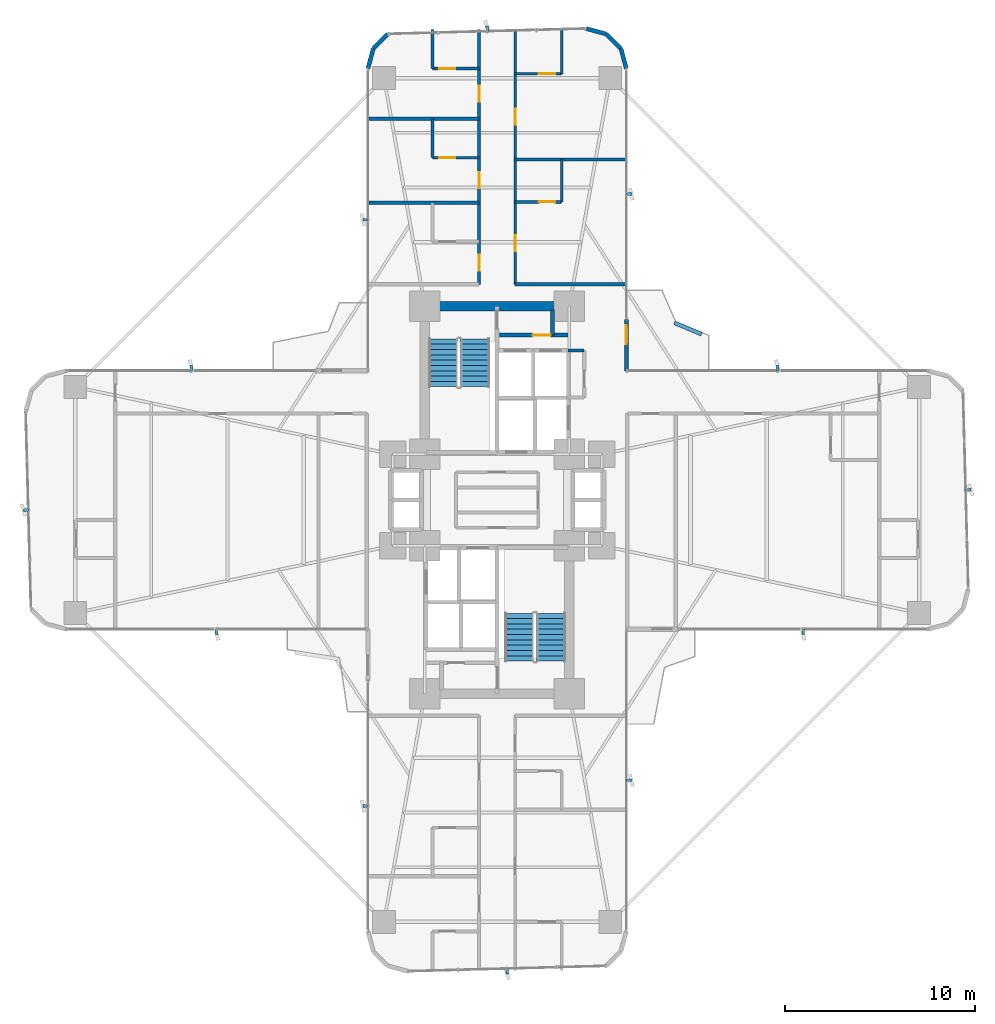
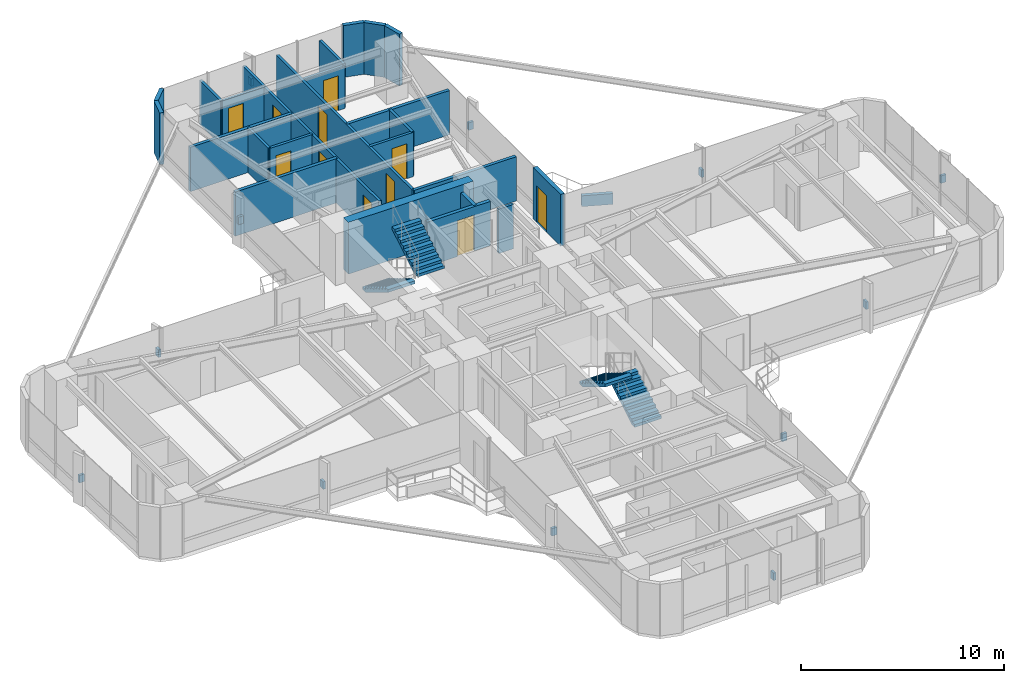
# One storey, part 24 of 25: 25 walls, 12 discrete accessories, 11 doors, 4 stair flights, 11 openings, 2 elements without a shape of their own.
"""IFC4 building model written with IfcOpenShell, lengths in metres."""

from ifc_helpers import new_model, si_unit, direction, frame, frame_2d, origin, origin_2d, place, context, subcontext, project, spatial, polyline, rectangle, outline, extrude, source, transform, mapped, material, layer, layer_set, type_object, element, fill, aggregate, save


model = new_model("IFC4")

# Units and contexts
model_context = context("Model", 3, precision=1e-05, world=origin(), true_north=direction((0.0, 1.0)))
body_context = subcontext(model_context, "Body", "Model", "MODEL_VIEW")
ifc_project = project(units=[si_unit("LENGTHUNIT", "METRE"), si_unit("AREAUNIT", "SQUARE_METRE"), si_unit("VOLUMEUNIT", "CUBIC_METRE"), si_unit("PLANEANGLEUNIT", "RADIAN"), si_unit("MASSUNIT", "GRAM", prefix="KILO")], contexts=[model_context])

# Site, building, storey
site_placement = place(None, origin())
site = spatial("IfcSite", under=ifc_project, at=site_placement, CompositionType="ELEMENT")
building_placement = place(site_placement, origin())
building = spatial("IfcBuilding", under=site, at=building_placement, Name="Sahyath Konkavel Grand Hotel", CompositionType="ELEMENT")
storey_placement = place(building_placement, frame((0.0, 0.0, 36.5)))
storey = spatial("IfcBuildingStorey", under=building, at=storey_placement, Name="L09", CompositionType="ELEMENT", Elevation=36.5)

# Wall
ifc_material_1 = material(Name="Concrete C70/85", Category="concrete")
ifc_layer_1 = layer(ifc_material_1, 0.5)
ifc_layer_set_1 = layer_set([ifc_layer_1], Name="Concrete C70/85")
wall_type_1 = type_object("IfcWallType", Name="CWALL-500", PredefinedType="SHEAR", material=ifc_layer_set_1)
wall_1_placement = place(storey_placement, frame((-3.550048828125, 10.199951171875, 0.0), z_axis=(0.0, 0.0, 1.0), x_axis=(1.0, 0.0, 0.0)))
element("IfcWall", 1, at=wall_1_placement, inside=storey, type_object=wall_type_1, Name="L09 North Core Shear Wall N", PredefinedType="SHEAR", context=body_context, shape_type="SweptSolid", body=[
    extrude(rectangle(XDim=7.10009765625, YDim=0.5, at=frame_2d((3.550048828125, 0.0))), origin(), (0.0, 0.0, 1.0), 3.110107421875),
])

# Wall, opening, door
ifc_material_2 = material(Name="Warm Buff Sandstone Insulated Concrete C40/50", Category="masonry")
ifc_layer_2 = layer(ifc_material_2, 0.219970703125)
ifc_layer_set_2 = layer_set([ifc_layer_2], Name="Warm Buff Sandstone Insulated Concrete C40/50")
wall_type_2 = type_object("IfcWallType", Name="WLL-BALC-THRESH", PredefinedType="STANDARD", material=ifc_layer_set_2)
wall_2_placement = place(storey_placement, frame((6.800048828125, 6.800048828125, 0.0), z_axis=(0.0, 0.0, 1.0), x_axis=(0.0, 1.0, 0.0)))
wall_2 = element("IfcWall", 2, at=wall_2_placement, inside=storey, type_object=wall_type_2, Name="L09 Winter-Garden Threshold Wall 8", PredefinedType="STANDARD", context=body_context, shape_type="SweptSolid", body=[
    extrude(rectangle(XDim=2.699951171875, YDim=0.219970703125, at=frame_2d((1.35009765625, 0.0))), origin(), (0.0, 0.0, 1.0), 3.110107421875),
])
opening_1_placement = place(wall_2_placement, frame((1.39990234375, 0.0, 0.0)))
opening_1 = element("IfcOpeningElement", 3, at=opening_1_placement, cuts=wall_2, Name="Opening D-TR1", PredefinedType="OPENING", context=body_context, shape_type="SweptSolid", body=[
    extrude(rectangle(XDim=1.0, YDim=2.199951171875, at=frame_2d((0.5, 1.10009765625))), frame((0.0, 0.1201171875, 0.0), z_axis=(0.0, -1.0, 0.0), x_axis=(1.0, 0.0, 0.0)), (0.0, 0.0, 1.0), 0.239990234375),
])
ifc_material_3 = material(Name="Anodised Bronze Aluminium & Low-E Glazing", Category="aluminium")
door_type_1 = type_object("IfcDoorType", Name="DR-TERRACE-1000", OperationType="NOTDEFINED", PredefinedType="DOOR", material=ifc_material_3)
shared_shape_1 = source(origin(), body_context, "Body", "SweptSolid", [
    extrude(rectangle(XDim=1.0, YDim=0.050048828125, at=origin_2d()), origin(), (0.0, 0.0, 1.0), 2.199951171875),
])
door_1_placement = place(opening_1_placement, frame((0.5, 0.0, 0.0)))
door_1 = element("IfcDoor", 4, at=door_1_placement, inside=storey, type_object=door_type_1, Name="L09 Winter-Garden Terrace Door 8", OperationType="SINGLE_SWING_LEFT", OverallHeight=2.199951171875, OverallWidth=1.0, PredefinedType="DOOR", context=body_context, shape_type="MappedRepresentation", body=[
    mapped(shared_shape_1, transform((0.0, 0.0, 0.0), scale=1.0)),
])
fill(opening_1, door_1)

# Walls
for number, where, z_axis, x_axis, name in (
    (5, (6.800048828125, 22.699951171875, 0.0), (0.0, 0.0, 1.0), (-0.25872485917, 0.965951058412, 0.0), "L09 Rounded Corner Sandstone Pier 9"),
    (6, (6.518798828125, 23.75, 0.0), (0.0, 0.0, 1.0), (-0.707106781187, 0.707106781187, 0.0), "L09 Rounded Corner Sandstone Pier 10"),
    (7, (5.75, 24.518798828125, 0.0), (0.0, 0.0, 1.0), (-0.965951058412, 0.25872485917, 0.0), "L09 Rounded Corner Sandstone Pier 11"),
    (8, (-5.75, 24.518798828125, 0.0), (0.0, 0.0, 1.0), (-0.707106781187, -0.707106781187, 0.0), "L09 Rounded Corner Sandstone Pier 13"),
    (9, (-6.518798828125, 23.75, 0.0), (0.0, 0.0, 1.0), (-0.25872485917, -0.965951058412, 0.0), "L09 Rounded Corner Sandstone Pier 14"),
):
    element("IfcWall", number, at=place(storey_placement, frame(where, z_axis=z_axis, x_axis=x_axis)), inside=storey, type_object=wall_type_2, Name=name, PredefinedType="STANDARD", context=body_context, shape_type="SweptSolid", body=[
        extrude(rectangle(XDim=1.087158203125, YDim=0.219970703125, at=frame_2d((0.54345703125, 0.0))), origin(), (0.0, 0.0, 1.0), 3.110107421875),
    ])

# Wall, opening, door
ifc_material_4 = material(Name="Concrete C40/50", Category="concrete")
ifc_layer_3 = layer(ifc_material_4, 0.199951171875)
ifc_layer_set_3 = layer_set([ifc_layer_3], Name="Concrete C40/50")
wall_type_3 = type_object("IfcWallType", Name="WLL-CORE-200", PredefinedType="SOLIDWALL", material=ifc_layer_set_3)
wall_3_placement = place(storey_placement, frame((0.1201171875, 8.679931640625, 0.0), z_axis=(0.0, 0.0, 1.0), x_axis=(1.0, 0.0, 0.0)))
wall_3 = element("IfcWall", 10, at=wall_3_placement, inside=storey, type_object=wall_type_3, Name="L09 North FF Lobby Separation Wall", PredefinedType="SOLIDWALL", context=body_context, shape_type="SweptSolid", body=[
    extrude(rectangle(XDim=3.619873046875, YDim=0.199951171875, at=frame_2d((1.81005859375, 0.0))), origin(), (0.0, 0.0, 1.0), 2.659912109375),
])
opening_2_placement = place(wall_3_placement, frame((1.75, 0.0, 0.0)))
opening_2 = element("IfcOpeningElement", 11, at=opening_2_placement, cuts=wall_3, Name="Opening D-F12C", PredefinedType="OPENING", context=body_context, shape_type="SweptSolid", body=[
    extrude(rectangle(XDim=0.949951171875, YDim=2.14990234375, at=frame_2d((0.47509765625, 1.074951171875))), frame((0.0, 0.10986328125, 0.0), z_axis=(0.0, -1.0, 0.0), x_axis=(1.0, 0.0, 0.0)), (0.0, 0.0, 1.0), 0.219970703125),
])
ifc_material_5 = material(Name="Steel E350 Plant Fire Door", Category="steel")
door_type_2 = type_object("IfcDoorType", Name="DR-FD120-950", OperationType="NOTDEFINED", PredefinedType="DOOR", material=ifc_material_5)
shared_shape_2 = source(origin(), body_context, "Body", "SweptSolid", [
    extrude(rectangle(XDim=0.949951171875, YDim=0.050048828125, at=origin_2d()), origin(), (0.0, 0.0, 1.0), 2.14990234375),
])
door_2_placement = place(opening_2_placement, frame((0.47509765625, 0.0, 0.0)))
door_2 = element("IfcDoor", 12, at=door_2_placement, inside=storey, type_object=door_type_2, Name="L09 North Firefighting Lobby Door", OperationType="SINGLE_SWING_RIGHT", OverallHeight=2.14990234375, OverallWidth=0.949951171875, PredefinedType="DOOR", context=body_context, shape_type="MappedRepresentation", body=[
    mapped(shared_shape_2, transform((0.0, 0.0, 0.0), scale=1.0)),
])
fill(opening_2, door_2)

# Walls
wall_4_placement = place(storey_placement, frame((2.919921875, 8.679931640625, 0.0), z_axis=(0.0, 0.0, 1.0), x_axis=(0.0, 1.0, 0.0)))
element("IfcWall", 13, at=wall_4_placement, inside=storey, type_object=wall_type_3, Name="L09 Partition NFF-E2", PredefinedType="SOLIDWALL", context=body_context, shape_type="SweptSolid", body=[
    extrude(rectangle(XDim=1.320068359375, YDim=0.199951171875, at=frame_2d((0.66015625, 0.0))), origin(), (0.0, 0.0, 1.0), 2.659912109375),
])
ifc_material_6 = material(Name="Twin-Stud Acoustic Gypsum Plasterboard Partition")
ifc_layer_4 = layer(ifc_material_6, 0.179931640625)
ifc_layer_set_4 = layer_set([ifc_layer_4], Name="Twin-Stud Acoustic Gypsum Plasterboard Partition")
wall_type_4 = type_object("IfcWallType", Name="WLL-DEMISE-180", PredefinedType="PARTITIONING", material=ifc_layer_set_4)
for number, where, z_axis, x_axis, name in (
    (14, (6.75, 11.35009765625, 0.0), (0.0, 0.0, 1.0), (-1.0, 0.0, 0.0), "L09 Partition N-INR"),
    (15, (-0.949951171875, 15.637939453125, 0.0), (0.0, 0.0, 1.0), (-1.0, 0.0, 0.0), "L09 Partition N-N1L-DEM"),
    (16, (-0.949951171875, 20.06005859375, 0.0), (0.0, 0.0, 1.0), (-1.0, 0.0, 0.0), "L09 Partition N-N2L-DEM"),
    (17, (0.949951171875, 17.916015625, 0.0), (0.0, 0.0, 1.0), (1.0, 0.0, 0.0), "L09 Partition N-N1R-DEM"),
):
    element("IfcWall", number, at=place(storey_placement, frame(where, z_axis=z_axis, x_axis=x_axis)), inside=storey, type_object=wall_type_4, Name=name, PredefinedType="PARTITIONING", context=body_context, shape_type="SweptSolid", body=[
        extrude(rectangle(XDim=5.800048828125, YDim=0.179931640625, at=frame_2d((2.89990234375, 0.0))), origin(), (0.0, 0.0, 1.0), 2.659912109375),
    ])
ifc_material_7 = material(Name="Fire-Rated Gypsum Plasterboard Partition")
ifc_layer_5 = layer(ifc_material_7, 0.14990234375)
ifc_layer_set_5 = layer_set([ifc_layer_5], Name="Fire-Rated Gypsum Plasterboard Partition")
wall_type_5 = type_object("IfcWallType", Name="WLL-PART-150", PredefinedType="PARTITIONING", material=ifc_layer_set_5)
wall_5_placement = place(storey_placement, frame((3.739990234375, 7.860107421875, 0.0), z_axis=(0.0, 0.0, 1.0), x_axis=(1.0, 0.0, 0.0)))
element("IfcWall", 18, at=wall_5_placement, inside=storey, type_object=wall_type_5, Name="L09 Partition NC-FLK-N", PredefinedType="PARTITIONING", context=body_context, shape_type="SweptSolid", body=[
    extrude(rectangle(XDim=0.840087890625, YDim=0.14990234375, at=frame_2d((0.419921875, 0.0))), origin(), (0.0, 0.0, 1.0), 2.659912109375),
])

# Wall, openings, doors
wall_6_placement = place(storey_placement, frame((-0.949951171875, 11.35009765625, 0.0), z_axis=(0.0, 0.0, 1.0), x_axis=(0.0, 1.0, 0.0)))
wall_6 = element("IfcWall", 19, at=wall_6_placement, inside=storey, type_object=wall_type_5, Name="L09 Partition N-CL", PredefinedType="PARTITIONING", context=body_context, shape_type="SweptSolid", body=[
    extrude(rectangle(XDim=13.39990234375, YDim=0.14990234375, at=frame_2d((6.699951171875, 0.0))), origin(), (0.0, 0.0, 1.0), 2.659912109375),
])
opening_3_placement = place(wall_6_placement, frame((0.699951171875, 0.0, 0.0)))
opening_3 = element("IfcOpeningElement", 20, at=opening_3_placement, cuts=wall_6, Name="Opening D-F06D", PredefinedType="OPENING", context=body_context, shape_type="SweptSolid", body=[
    extrude(rectangle(XDim=0.85009765625, YDim=2.10009765625, at=frame_2d((0.425048828125, 1.050048828125))), frame((0.0, 0.0849609375, 0.0), z_axis=(0.0, -1.0, 0.0), x_axis=(1.0, 0.0, 0.0)), (0.0, 0.0, 1.0), 0.169921875),
])
opening_4_placement = place(wall_6_placement, frame((5.049072265625, 0.0, 0.0)))
opening_4 = element("IfcOpeningElement", 21, at=opening_4_placement, cuts=wall_6, Name="Opening D-F06D", PredefinedType="OPENING", context=body_context, shape_type="SweptSolid", body=[
    extrude(rectangle(XDim=0.85009765625, YDim=2.10009765625, at=frame_2d((0.425048828125, 1.050048828125))), frame((0.0, 0.0849609375, 0.0), z_axis=(0.0, -1.0, 0.0), x_axis=(1.0, 0.0, 0.0)), (0.0, 0.0, 1.0), 0.169921875),
])
opening_5_placement = place(wall_6_placement, frame((9.60498046875, 0.0, 0.0)))
opening_5 = element("IfcOpeningElement", 22, at=opening_5_placement, cuts=wall_6, Name="Opening D-F06D", PredefinedType="OPENING", context=body_context, shape_type="SweptSolid", body=[
    extrude(rectangle(XDim=0.85009765625, YDim=2.10009765625, at=frame_2d((0.425048828125, 1.050048828125))), frame((0.0, 0.0849609375, 0.0), z_axis=(0.0, -1.0, 0.0), x_axis=(1.0, 0.0, 0.0)), (0.0, 0.0, 1.0), 0.169921875),
])
ifc_material_8 = material(Name="Fire-Rated Shaft Access Door")
door_type_3 = type_object("IfcDoorType", Name="DR-FD60-850", OperationType="NOTDEFINED", PredefinedType="DOOR", material=ifc_material_8)
shared_shape_3 = source(origin(), body_context, "Body", "SweptSolid", [
    extrude(rectangle(XDim=0.85009765625, YDim=0.050048828125, at=origin_2d()), origin(), (0.0, 0.0, 1.0), 2.10009765625),
])
door_3_placement = place(opening_3_placement, frame((0.425048828125, 0.0, 0.0)))
door_3 = element("IfcDoor", 23, at=door_3_placement, inside=storey, type_object=door_type_3, Name="L09 Door N-N1L-ED", OperationType="SINGLE_SWING_LEFT", OverallHeight=2.10009765625, OverallWidth=0.85009765625, PredefinedType="DOOR", context=body_context, shape_type="MappedRepresentation", body=[
    mapped(shared_shape_3, transform((0.0, 0.0, 0.0), scale=1.0)),
])
fill(opening_3, door_3)
door_4_placement = place(opening_4_placement, frame((0.425048828125, 0.0, 0.0)))
door_4 = element("IfcDoor", 24, at=door_4_placement, inside=storey, type_object=door_type_3, Name="L09 Door N-N2L-ED", OperationType="SINGLE_SWING_LEFT", OverallHeight=2.10009765625, OverallWidth=0.85009765625, PredefinedType="DOOR", context=body_context, shape_type="MappedRepresentation", body=[
    mapped(shared_shape_3, transform((0.0, 0.0, 0.0), scale=1.0)),
])
fill(opening_4, door_4)
door_5_placement = place(opening_5_placement, frame((0.425048828125, 0.0, 0.0)))
door_5 = element("IfcDoor", 25, at=door_5_placement, inside=storey, type_object=door_type_3, Name="L09 Door N-N3L-ED", OperationType="SINGLE_SWING_LEFT", OverallHeight=2.10009765625, OverallWidth=0.85009765625, PredefinedType="DOOR", context=body_context, shape_type="MappedRepresentation", body=[
    mapped(shared_shape_3, transform((0.0, 0.0, 0.0), scale=1.0)),
])
fill(opening_5, door_5)

wall_7_placement = place(storey_placement, frame((0.949951171875, 11.35009765625, 0.0), z_axis=(0.0, 0.0, 1.0), x_axis=(0.0, 1.0, 0.0)))
wall_7 = element("IfcWall", 26, at=wall_7_placement, inside=storey, type_object=wall_type_5, Name="L09 Partition N-CR", PredefinedType="PARTITIONING", context=body_context, shape_type="SweptSolid", body=[
    extrude(rectangle(XDim=13.39990234375, YDim=0.14990234375, at=frame_2d((6.699951171875, 0.0))), origin(), (0.0, 0.0, 1.0), 2.659912109375),
])
opening_6_placement = place(wall_7_placement, frame((1.741943359375, 0.0, 0.0)))
opening_6 = element("IfcOpeningElement", 27, at=opening_6_placement, cuts=wall_7, Name="Opening D-F06D", PredefinedType="OPENING", context=body_context, shape_type="SweptSolid", body=[
    extrude(rectangle(XDim=0.85009765625, YDim=2.10009765625, at=frame_2d((0.425048828125, 1.050048828125))), frame((0.0, 0.0849609375, 0.0), z_axis=(0.0, -1.0, 0.0), x_axis=(1.0, 0.0, 0.0)), (0.0, 0.0, 1.0), 0.169921875),
])
opening_7_placement = place(wall_7_placement, frame((8.39599609375, 0.0, 0.0)))
opening_7 = element("IfcOpeningElement", 28, at=opening_7_placement, cuts=wall_7, Name="Opening D-F06D", PredefinedType="OPENING", context=body_context, shape_type="SweptSolid", body=[
    extrude(rectangle(XDim=0.85009765625, YDim=2.10009765625, at=frame_2d((0.425048828125, 1.050048828125))), frame((0.0, 0.0849609375, 0.0), z_axis=(0.0, -1.0, 0.0), x_axis=(1.0, 0.0, 0.0)), (0.0, 0.0, 1.0), 0.169921875),
])
door_6_placement = place(opening_6_placement, frame((0.425048828125, 0.0, 0.0)))
door_6 = element("IfcDoor", 29, at=door_6_placement, inside=storey, type_object=door_type_3, Name="L09 Door N-N1R-ED", OperationType="SINGLE_SWING_LEFT", OverallHeight=2.10009765625, OverallWidth=0.85009765625, PredefinedType="DOOR", context=body_context, shape_type="MappedRepresentation", body=[
    mapped(shared_shape_3, transform((0.0, 0.0, 0.0), scale=1.0)),
])
fill(opening_6, door_6)
door_7_placement = place(opening_7_placement, frame((0.425048828125, 0.0, 0.0)))
door_7 = element("IfcDoor", 30, at=door_7_placement, inside=storey, type_object=door_type_3, Name="L09 Door N-N2R-ED", OperationType="SINGLE_SWING_LEFT", OverallHeight=2.10009765625, OverallWidth=0.85009765625, PredefinedType="DOOR", context=body_context, shape_type="MappedRepresentation", body=[
    mapped(shared_shape_3, transform((0.0, 0.0, 0.0), scale=1.0)),
])
fill(opening_7, door_7)

# Wall, opening, door
wall_8_placement = place(storey_placement, frame((-0.949951171875, 18.010009765625, 0.0), z_axis=(0.0, 0.0, 1.0), x_axis=(-1.0, 0.0, 0.0)))
wall_8 = element("IfcWall", 31, at=wall_8_placement, inside=storey, type_object=wall_type_5, Name="L09 Partition N-N2L-BS", PredefinedType="PARTITIONING", context=body_context, shape_type="SweptSolid", body=[
    extrude(rectangle(XDim=2.449951171875, YDim=0.14990234375, at=frame_2d((1.22509765625, 0.0))), origin(), (0.0, 0.0, 1.0), 2.659912109375),
])
opening_8_placement = place(wall_8_placement, frame((1.25, 0.0, 0.0)))
opening_8 = element("IfcOpeningElement", 32, at=opening_8_placement, cuts=wall_8, Name="Opening D-BT85", PredefinedType="OPENING", context=body_context, shape_type="SweptSolid", body=[
    extrude(rectangle(XDim=0.85009765625, YDim=2.10009765625, at=frame_2d((0.425048828125, 1.050048828125))), frame((0.0, 0.0849609375, 0.0), z_axis=(0.0, -1.0, 0.0), x_axis=(1.0, 0.0, 0.0)), (0.0, 0.0, 1.0), 0.169921875),
])
ifc_material_9 = material(Name="Moisture-Resistant Teak Bathroom Door")
door_type_4 = type_object("IfcDoorType", Name="DR-BATH-850", OperationType="NOTDEFINED", PredefinedType="DOOR", material=ifc_material_9)
door_8_placement = place(opening_8_placement, frame((0.425048828125, 0.0, 0.0)))
door_8 = element("IfcDoor", 33, at=door_8_placement, inside=storey, type_object=door_type_4, Name="L09 Door N-N2L-BD", OperationType="SINGLE_SWING_RIGHT", OverallHeight=2.10009765625, OverallWidth=0.85009765625, PredefinedType="DOOR", context=body_context, shape_type="MappedRepresentation", body=[
    mapped(shared_shape_3, transform((0.0, 0.0, 0.0), scale=1.0)),
])
fill(opening_8, door_8)

# Wall
wall_9_placement = place(storey_placement, frame((-3.39990234375, 18.010009765625, 0.0), z_axis=(0.0, 0.0, 1.0), x_axis=(0.0, 1.0, 0.0)))
element("IfcWall", 34, at=wall_9_placement, inside=storey, type_object=wall_type_5, Name="L09 Partition N-N2L-BF", PredefinedType="PARTITIONING", context=body_context, shape_type="SweptSolid", body=[
    extrude(rectangle(XDim=2.050048828125, YDim=0.14990234375, at=frame_2d((1.02490234375, 0.0))), origin(), (0.0, 0.0, 1.0), 2.659912109375),
])

# Wall, opening, door
wall_10_placement = place(storey_placement, frame((-0.949951171875, 22.699951171875, 0.0), z_axis=(0.0, 0.0, 1.0), x_axis=(-1.0, 0.0, 0.0)))
wall_10 = element("IfcWall", 35, at=wall_10_placement, inside=storey, type_object=wall_type_5, Name="L09 Partition N-N3L-BS", PredefinedType="PARTITIONING", context=body_context, shape_type="SweptSolid", body=[
    extrude(rectangle(XDim=2.449951171875, YDim=0.14990234375, at=frame_2d((1.22509765625, 0.0))), origin(), (0.0, 0.0, 1.0), 2.659912109375),
])
opening_9_placement = place(wall_10_placement, frame((1.25, 0.0, 0.0)))
opening_9 = element("IfcOpeningElement", 36, at=opening_9_placement, cuts=wall_10, Name="Opening D-BT85", PredefinedType="OPENING", context=body_context, shape_type="SweptSolid", body=[
    extrude(rectangle(XDim=0.85009765625, YDim=2.10009765625, at=frame_2d((0.425048828125, 1.050048828125))), frame((0.0, 0.0849609375, 0.0), z_axis=(0.0, -1.0, 0.0), x_axis=(1.0, 0.0, 0.0)), (0.0, 0.0, 1.0), 0.169921875),
])
door_9_placement = place(opening_9_placement, frame((0.425048828125, 0.0, 0.0)))
door_9 = element("IfcDoor", 37, at=door_9_placement, inside=storey, type_object=door_type_4, Name="L09 Door N-N3L-BD", OperationType="SINGLE_SWING_RIGHT", OverallHeight=2.10009765625, OverallWidth=0.85009765625, PredefinedType="DOOR", context=body_context, shape_type="MappedRepresentation", body=[
    mapped(shared_shape_3, transform((0.0, 0.0, 0.0), scale=1.0)),
])
fill(opening_9, door_9)

# Wall
wall_11_placement = place(storey_placement, frame((-3.39990234375, 22.699951171875, 0.0), z_axis=(0.0, 0.0, 1.0), x_axis=(0.0, 1.0, 0.0)))
element("IfcWall", 38, at=wall_11_placement, inside=storey, type_object=wall_type_5, Name="L09 Partition N-N3L-BF", PredefinedType="PARTITIONING", context=body_context, shape_type="SweptSolid", body=[
    extrude(rectangle(XDim=2.050048828125, YDim=0.14990234375, at=frame_2d((1.02490234375, 0.0))), origin(), (0.0, 0.0, 1.0), 2.659912109375),
])

# Wall, opening, door
wall_12_placement = place(storey_placement, frame((0.949951171875, 15.68408203125, 0.0), z_axis=(0.0, 0.0, 1.0), x_axis=(1.0, 0.0, 0.0)))
wall_12 = element("IfcWall", 39, at=wall_12_placement, inside=storey, type_object=wall_type_5, Name="L09 Partition N-N1R-BS", PredefinedType="PARTITIONING", context=body_context, shape_type="SweptSolid", body=[
    extrude(rectangle(XDim=2.449951171875, YDim=0.14990234375, at=frame_2d((1.22509765625, 0.0))), origin(), (0.0, 0.0, 1.0), 2.659912109375),
])
opening_10_placement = place(wall_12_placement, frame((1.25, 0.0, 0.0)))
opening_10 = element("IfcOpeningElement", 40, at=opening_10_placement, cuts=wall_12, Name="Opening D-BT85", PredefinedType="OPENING", context=body_context, shape_type="SweptSolid", body=[
    extrude(rectangle(XDim=0.85009765625, YDim=2.10009765625, at=frame_2d((0.425048828125, 1.050048828125))), frame((0.0, 0.0849609375, 0.0), z_axis=(0.0, -1.0, 0.0), x_axis=(1.0, 0.0, 0.0)), (0.0, 0.0, 1.0), 0.169921875),
])
door_10_placement = place(opening_10_placement, frame((0.425048828125, 0.0, 0.0)))
door_10 = element("IfcDoor", 41, at=door_10_placement, inside=storey, type_object=door_type_4, Name="L09 Door N-N1R-BD", OperationType="SINGLE_SWING_RIGHT", OverallHeight=2.10009765625, OverallWidth=0.85009765625, PredefinedType="DOOR", context=body_context, shape_type="MappedRepresentation", body=[
    mapped(shared_shape_3, transform((0.0, 0.0, 0.0), scale=1.0)),
])
fill(opening_10, door_10)

# Wall
wall_13_placement = place(storey_placement, frame((3.39990234375, 15.68408203125, 0.0), z_axis=(0.0, 0.0, 1.0), x_axis=(0.0, 1.0, 0.0)))
element("IfcWall", 42, at=wall_13_placement, inside=storey, type_object=wall_type_5, Name="L09 Partition N-N1R-BF", PredefinedType="PARTITIONING", context=body_context, shape_type="SweptSolid", body=[
    extrude(rectangle(XDim=2.23193359375, YDim=0.14990234375, at=frame_2d((1.115966796875, 0.0))), origin(), (0.0, 0.0, 1.0), 2.659912109375),
])

# Wall, opening, door
wall_14_placement = place(storey_placement, frame((0.949951171875, 22.426025390625, 0.0), z_axis=(0.0, 0.0, 1.0), x_axis=(1.0, 0.0, 0.0)))
wall_14 = element("IfcWall", 43, at=wall_14_placement, inside=storey, type_object=wall_type_5, Name="L09 Partition N-N2R-BS", PredefinedType="PARTITIONING", context=body_context, shape_type="SweptSolid", body=[
    extrude(rectangle(XDim=2.449951171875, YDim=0.14990234375, at=frame_2d((1.22509765625, 0.0))), origin(), (0.0, 0.0, 1.0), 2.580078125),
])
opening_11_placement = place(wall_14_placement, frame((1.25, 0.0, 0.0)))
opening_11 = element("IfcOpeningElement", 44, at=opening_11_placement, cuts=wall_14, Name="Opening D-BT85", PredefinedType="OPENING", context=body_context, shape_type="SweptSolid", body=[
    extrude(rectangle(XDim=0.85009765625, YDim=2.10009765625, at=frame_2d((0.425048828125, 1.050048828125))), frame((0.0, 0.0849609375, 0.0), z_axis=(0.0, -1.0, 0.0), x_axis=(1.0, 0.0, 0.0)), (0.0, 0.0, 1.0), 0.169921875),
])
door_11_placement = place(opening_11_placement, frame((0.425048828125, 0.0, 0.0)))
door_11 = element("IfcDoor", 45, at=door_11_placement, inside=storey, type_object=door_type_4, Name="L09 Door N-N2R-BD", OperationType="SINGLE_SWING_RIGHT", OverallHeight=2.10009765625, OverallWidth=0.85009765625, PredefinedType="DOOR", context=body_context, shape_type="MappedRepresentation", body=[
    mapped(shared_shape_3, transform((0.0, 0.0, 0.0), scale=1.0)),
])
fill(opening_11, door_11)

# Walls
wall_15_placement = place(storey_placement, frame((3.39990234375, 22.426025390625, 0.0), z_axis=(0.0, 0.0, 1.0), x_axis=(0.0, 1.0, 0.0)))
element("IfcWall", 46, at=wall_15_placement, inside=storey, type_object=wall_type_5, Name="L09 Partition N-N2R-BF", PredefinedType="PARTITIONING", context=body_context, shape_type="SweptSolid", body=[
    extrude(rectangle(XDim=2.323974609375, YDim=0.14990234375, at=frame_2d((1.162109375, 0.0))), origin(), (0.0, 0.0, 1.0), 2.659912109375),
])
ifc_material_10 = material(Name="Warm Buff Sandstone Planter Wall", Category="masonry")
ifc_layer_6 = layer(ifc_material_10, 0.199951171875)
ifc_layer_set_6 = layer_set([ifc_layer_6], Name="Warm Buff Sandstone Planter Wall")
wall_type_6 = type_object("IfcWallType", Name="WLL-PLANTER-200", PredefinedType="PARAPET", material=ifc_layer_set_6)
wall_16_placement = place(storey_placement, frame((10.7568359375, 8.723876953125, 0.0), z_axis=(0.0, 0.0, 1.0), x_axis=(-0.922969728689, 0.384872550233, 0.0)))
element("IfcWall", 47, at=wall_16_placement, inside=storey, type_object=wall_type_6, Name="L09 Sky-Garden Stone Planter PLANTER NE", PredefinedType="PARAPET", context=body_context, shape_type="SweptSolid", body=[
    extrude(rectangle(XDim=1.55029296875, YDim=0.199951171875, at=frame_2d((0.775146484375, 0.0))), origin(), (0.0, 0.0, 1.0), 0.64990234375),
])

# Stair, stair flights
stair_type = type_object("IfcStairType", Name="STR-ST16-335", PredefinedType="HALF_TURN_STAIR", material=ifc_material_4)
stair_1_placement = place(storey_placement, origin())
stair_1 = element("IfcStair", 48, at=stair_1_placement, inside=storey, type_object=stair_type, Name="L09 North Core Smokeproof Exit Stair ST-1", PredefinedType="HALF_TURN_STAIR")
stair_flight_type = type_object("IfcStairFlightType", Name="STF-ST16-335", PredefinedType="STRAIGHT", material=ifc_material_4)
stair_flight_1_placement = place(storey_placement, frame((-2.840087890625, 8.47998046875, 0.0), z_axis=(0.0, 0.0, 1.0), x_axis=(0.0, -1.0, 0.0)))
stair_flight_1 = element("IfcStairFlight", 49, at=stair_flight_1_placement, type_object=stair_flight_type, Name="ST-1 flight 1", NumberOfRisers=10, NumberOfTreads=9, PredefinedType="STRAIGHT", RiserHeight=0.1675, TreadLength=0.28, context=body_context, shape_type="SweptSolid", body=[
    extrude(outline(polyline([(0.0, 0.0), (0.0, 0.16748046875), (0.280029296875, 0.16748046875), (0.280029296875, 0.3349609375), (0.56005859375, 0.3349609375), (0.56005859375, 0.50244140625), (0.840087890625, 0.50244140625), (0.840087890625, 0.669921875), (1.1201171875, 0.669921875), (1.1201171875, 0.83740234375), (1.39990234375, 0.83740234375), (1.39990234375, 1.0048828125), (1.679931640625, 1.0048828125), (1.679931640625, 1.172607421875), (1.9599609375, 1.172607421875), (1.9599609375, 1.340087890625), (2.239990234375, 1.340087890625), (2.239990234375, 1.507568359375), (2.52001953125, 1.507568359375), (2.52001953125, 1.675048828125), (2.52001953125, 1.332763671875), (0.2919921875, 0.0), (0.0, 0.0)])), frame((0.0, 0.760009765625, 0.0), z_axis=(0.0, -1.0, 0.0), x_axis=(1.0, 0.0, 0.0)), (0.0, 0.0, 1.0), 1.52001953125),
])
stair_flight_2_placement = place(storey_placement, frame((-1.159912109375, 5.9599609375, 1.675048828125), z_axis=(0.0, 0.0, 1.0), x_axis=(0.0, 1.0, 0.0)))
stair_flight_2 = element("IfcStairFlight", 50, at=stair_flight_2_placement, type_object=stair_flight_type, Name="ST-1 flight 2", NumberOfRisers=10, NumberOfTreads=9, PredefinedType="STRAIGHT", RiserHeight=0.1675, TreadLength=0.28, context=body_context, shape_type="SweptSolid", body=[
    extrude(outline(polyline([(0.0, 0.0), (0.0, 0.16748046875), (0.280029296875, 0.16748046875), (0.280029296875, 0.3349609375), (0.56005859375, 0.3349609375), (0.56005859375, 0.50244140625), (0.840087890625, 0.50244140625), (0.840087890625, 0.669921875), (1.1201171875, 0.669921875), (1.1201171875, 0.83740234375), (1.39990234375, 0.83740234375), (1.39990234375, 1.0048828125), (1.679931640625, 1.0048828125), (1.679931640625, 1.172607421875), (1.9599609375, 1.172607421875), (1.9599609375, 1.340087890625), (2.239990234375, 1.340087890625), (2.239990234375, 1.507568359375), (2.52001953125, 1.507568359375), (2.52001953125, 1.675048828125), (2.52001953125, 1.332763671875), (0.2919921875, 0.0), (0.0, 0.0)])), frame((0.0, 0.760009765625, 0.0), z_axis=(0.0, -1.0, 0.0), x_axis=(1.0, 0.0, 0.0)), (0.0, 0.0, 1.0), 1.52001953125),
])
aggregate(stair_1, [stair_flight_1, stair_flight_2])

stair_2_placement = place(storey_placement, origin())
stair_2 = element("IfcStair", 51, at=stair_2_placement, inside=storey, type_object=stair_type, Name="L09 South Core Smokeproof Exit Stair ST-2", PredefinedType="HALF_TURN_STAIR")
stair_flight_3_placement = place(storey_placement, frame((2.840087890625, -8.47998046875, 0.0), z_axis=(0.0, 0.0, 1.0), x_axis=(0.0, 1.0, 0.0)))
stair_flight_3 = element("IfcStairFlight", 52, at=stair_flight_3_placement, type_object=stair_flight_type, Name="ST-2 flight 1", NumberOfRisers=10, NumberOfTreads=9, PredefinedType="STRAIGHT", RiserHeight=0.1675, TreadLength=0.28, context=body_context, shape_type="SweptSolid", body=[
    extrude(outline(polyline([(0.0, 0.0), (0.0, 0.16748046875), (0.280029296875, 0.16748046875), (0.280029296875, 0.3349609375), (0.56005859375, 0.3349609375), (0.56005859375, 0.50244140625), (0.840087890625, 0.50244140625), (0.840087890625, 0.669921875), (1.1201171875, 0.669921875), (1.1201171875, 0.83740234375), (1.39990234375, 0.83740234375), (1.39990234375, 1.0048828125), (1.679931640625, 1.0048828125), (1.679931640625, 1.172607421875), (1.9599609375, 1.172607421875), (1.9599609375, 1.340087890625), (2.239990234375, 1.340087890625), (2.239990234375, 1.507568359375), (2.52001953125, 1.507568359375), (2.52001953125, 1.675048828125), (2.52001953125, 1.332763671875), (0.2919921875, 0.0), (0.0, 0.0)])), frame((0.0, 0.760009765625, 0.0), z_axis=(0.0, -1.0, 0.0), x_axis=(1.0, 0.0, 0.0)), (0.0, 0.0, 1.0), 1.52001953125),
])
stair_flight_4_placement = place(storey_placement, frame((1.159912109375, -5.9599609375, 1.675048828125), z_axis=(0.0, 0.0, 1.0), x_axis=(0.0, -1.0, 0.0)))
stair_flight_4 = element("IfcStairFlight", 53, at=stair_flight_4_placement, type_object=stair_flight_type, Name="ST-2 flight 2", NumberOfRisers=10, NumberOfTreads=9, PredefinedType="STRAIGHT", RiserHeight=0.1675, TreadLength=0.28, context=body_context, shape_type="SweptSolid", body=[
    extrude(outline(polyline([(0.0, 0.0), (0.0, 0.16748046875), (0.280029296875, 0.16748046875), (0.280029296875, 0.3349609375), (0.56005859375, 0.3349609375), (0.56005859375, 0.50244140625), (0.840087890625, 0.50244140625), (0.840087890625, 0.669921875), (1.1201171875, 0.669921875), (1.1201171875, 0.83740234375), (1.39990234375, 0.83740234375), (1.39990234375, 1.0048828125), (1.679931640625, 1.0048828125), (1.679931640625, 1.172607421875), (1.9599609375, 1.172607421875), (1.9599609375, 1.340087890625), (2.239990234375, 1.340087890625), (2.239990234375, 1.507568359375), (2.52001953125, 1.507568359375), (2.52001953125, 1.675048828125), (2.52001953125, 1.332763671875), (0.2919921875, 0.0), (0.0, 0.0)])), frame((0.0, 0.760009765625, 0.0), z_axis=(0.0, -1.0, 0.0), x_axis=(1.0, 0.0, 0.0)), (0.0, 0.0, 1.0), 1.52001953125),
])
aggregate(stair_2, [stair_flight_3, stair_flight_4])

# Discrete accessories
ifc_material_11 = material(Name="Steel E350", Category="steel")
discrete_accessory_type = type_object("IfcDiscreteAccessoryType", Name="ACC-FIN-BRACKET", PredefinedType="BRACKET", material=ifc_material_11)
shared_shape_4 = source(origin(), body_context, "Body", "SweptSolid", [
    extrude(rectangle(XDim=0.280029296875, YDim=0.139892578125, at=origin_2d()), origin(), (0.0, 0.0, 1.0), 0.449951171875),
])
for number, where, z_axis, x_axis, name in (
    (54, (16.10009765625, -6.929931640625, 1.330078125), (0.0, 0.0, 1.0), (0.0, -1.0, 0.0), "L09 Fin Support Bracket F0-1"),
    (55, (24.789306640625, 0.528564453125, 1.330078125), (0.0, 0.0, 1.0), (0.999637867691, 0.026909728301, 0.0), "L09 Fin Support Bracket F4-2"),
    (56, (14.75, 6.929931640625, 1.330078125), (0.0, 0.0, 1.0), (0.0, 1.0, 0.0), "L09 Fin Support Bracket F7-1"),
    (57, (6.929931640625, 16.10009765625, 1.330078125), (0.0, 0.0, 1.0), (1.0, 0.0, 0.0), "L09 Fin Support Bracket F8-1"),
    (58, (-0.528564453125, 24.789306640625, 1.330078125), (0.0, 0.0, 1.0), (-0.026909728301, 0.999637867691, 0.0), "L09 Fin Support Bracket F12-2"),
    (59, (-6.929931640625, 14.75, 1.330078125), (0.0, 0.0, 1.0), (-1.0, 0.0, 0.0), "L09 Fin Support Bracket F15-1"),
    (60, (-16.10009765625, 6.929931640625, 1.330078125), (0.0, 0.0, 1.0), (0.0, 1.0, 0.0), "L09 Fin Support Bracket F16-1"),
    (61, (-24.789306640625, -0.528564453125, 1.330078125), (0.0, 0.0, 1.0), (-0.999637867691, -0.026909728301, 0.0), "L09 Fin Support Bracket F20-2"),
    (62, (-14.75, -6.929931640625, 1.330078125), (0.0, 0.0, 1.0), (0.0, -1.0, 0.0), "L09 Fin Support Bracket F23-1"),
    (63, (-6.929931640625, -16.10009765625, 1.330078125), (0.0, 0.0, 1.0), (-1.0, 0.0, 0.0), "L09 Fin Support Bracket F24-1"),
    (64, (0.528564453125, -24.789306640625, 1.330078125), (0.0, 0.0, 1.0), (0.026909728301, -0.999637867691, 0.0), "L09 Fin Support Bracket F28-2"),
    (65, (6.929931640625, -14.75, 1.330078125), (0.0, 0.0, 1.0), (1.0, 0.0, 0.0), "L09 Fin Support Bracket F31-1"),
):
    element("IfcDiscreteAccessory", number, at=place(storey_placement, frame(where, z_axis=z_axis, x_axis=x_axis)), inside=storey, type_object=discrete_accessory_type, Name=name, PredefinedType="BRACKET", context=body_context, shape_type="MappedRepresentation", body=[
        mapped(shared_shape_4, transform((0.0, 0.0, 0.0), scale=1.0)),
    ])

save(model, "model.ifc")
